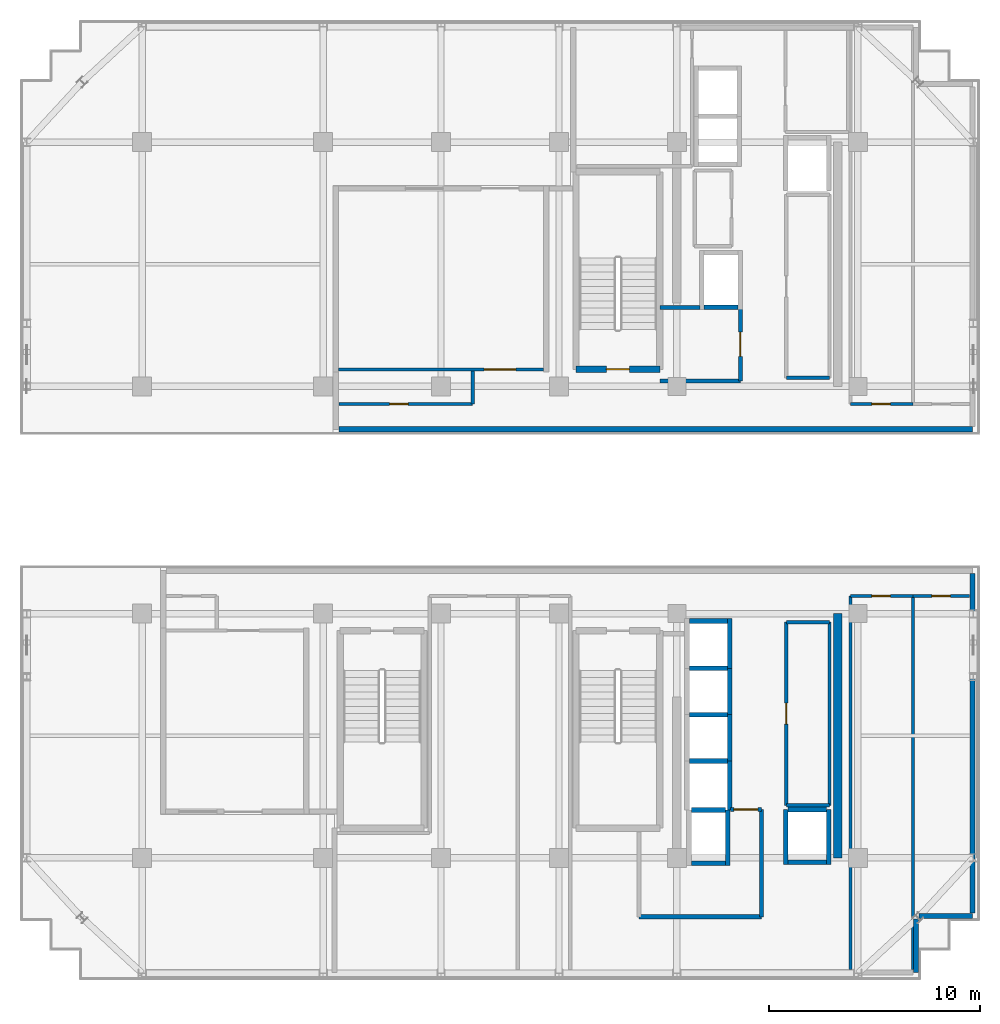
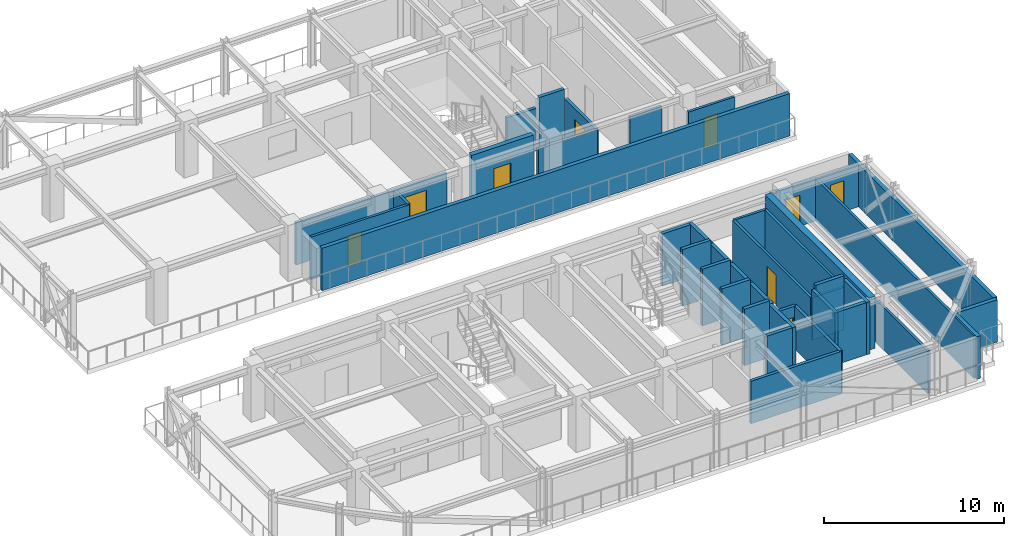
# One storey, part 6 of 14: 41 walls, 9 doors, 9 openings.
"""IFC4 building model written with IfcOpenShell, lengths in metres."""

from ifc_helpers import new_model, si_unit, direction, frame, frame_2d, origin, place, context, subcontext, project, spatial, rectangle, extrude, source, transform, mapped, material, layer, layer_set, type_object, element, fill, save


model = new_model("IFC4")

# Units and contexts
model_context = context("Model", 3, precision=1e-05, world=origin(), true_north=direction((0.0, 1.0)))
body_context = subcontext(model_context, "Body", "Model", "MODEL_VIEW")
ifc_project = project(units=[si_unit("LENGTHUNIT", "METRE"), si_unit("AREAUNIT", "SQUARE_METRE"), si_unit("VOLUMEUNIT", "CUBIC_METRE"), si_unit("PLANEANGLEUNIT", "RADIAN"), si_unit("MASSUNIT", "GRAM", prefix="KILO")], contexts=[model_context])

# Site, building, storey
site_placement = place(None, origin())
site = spatial("IfcSite", under=ifc_project, at=site_placement, CompositionType="ELEMENT")
building_placement = place(site_placement, origin())
building = spatial("IfcBuilding", under=site, at=building_placement, Name="Nahalor Promenade Grand Hotel", CompositionType="ELEMENT")
storey_placement = place(building_placement, frame((0.0, 0.0, 296.5)))
storey = spatial("IfcBuildingStorey", under=building, at=storey_placement, Name="L76", CompositionType="ELEMENT", Elevation=296.5)

# Wall
ifc_material_1 = material(Name="Concrete B-50 (C40/50)", Category="concrete")
ifc_layer_1 = layer(ifc_material_1, 0.39990234375)
ifc_layer_set_1 = layer_set([ifc_layer_1], Name="Concrete B-50 (C40/50)")
wall_type_1 = type_object("IfcWallType", Name="Wall-CoreShear-400", PredefinedType="SHEAR", material=ifc_layer_set_1)
shared_shape_1 = source(origin(), body_context, "Body", "SweptSolid", [
    extrude(rectangle(XDim=11.60009765625, YDim=0.39990234375, at=frame_2d((5.800048828125, 0.0))), origin(), (0.0, 0.0, 1.0), 3.550048828125),
])
wall_1_placement = place(storey_placement, frame((16.050048828125, -17.0, 0.0), z_axis=(0.0, 0.0, 1.0), x_axis=(0.0, 1.0, 0.0)))
element("IfcWall", 1, at=wall_1_placement, inside=storey, type_object=wall_type_1, Name="CWALL-L76-SE", PredefinedType="SHEAR", context=body_context, shape_type="MappedRepresentation", body=[
    mapped(shared_shape_1, transform((0.0, 0.0, 0.0), scale=1.0)),
])

# Wall, opening, door
ifc_layer_2 = layer(ifc_material_1, 0.300048828125)
ifc_layer_set_2 = layer_set([ifc_layer_2], Name="Concrete B-50 (C40/50)")
wall_type_2 = type_object("IfcWallType", Name="Wall-ShaftShear-300", PredefinedType="SHEAR", material=ifc_layer_set_2)
shared_shape_2 = source(origin(), body_context, "Body", "SweptSolid", [
    extrude(rectangle(XDim=3.97998046875, YDim=0.300048828125, at=frame_2d((1.989990234375, 0.0))), origin(), (0.0, 0.0, 1.0), 3.550048828125),
])
wall_2_placement = place(storey_placement, frame((3.610107421875, 6.2099609375, 0.0), z_axis=(0.0, 0.0, 1.0), x_axis=(1.0, 0.0, 0.0)))
wall_2 = element("IfcWall", 2, at=wall_2_placement, inside=storey, type_object=wall_type_2, Name="L76 Exit Stair ST1 Shaft Wall S", PredefinedType="SHEAR", context=body_context, shape_type="MappedRepresentation", body=[
    mapped(shared_shape_2, transform((0.0, 0.0, 0.0), scale=1.0)),
])
opening_1_placement = place(wall_2_placement, frame((1.43994140625, 0.0, 0.0)))
opening_1 = element("IfcOpeningElement", 3, at=opening_1_placement, cuts=wall_2, Name="Opening D-ST1", PredefinedType="OPENING", context=body_context, shape_type="SweptSolid", body=[
    extrude(rectangle(XDim=1.10009765625, YDim=2.14990234375, at=frame_2d((0.550048828125, 1.074951171875))), frame((0.0, 0.159912109375, 0.0), z_axis=(0.0, -1.0, 0.0), x_axis=(1.0, 0.0, 0.0)), (0.0, 0.0, 1.0), 0.320068359375),
])
ifc_material_2 = material(Name="Steel S355JR", Category="steel")
door_type_1 = type_object("IfcDoorType", Name="Door-StairFire-1100", OperationType="NOTDEFINED", PredefinedType="DOOR", material=ifc_material_2)
shared_shape_3 = source(origin(), body_context, "Body", "SweptSolid", [
    extrude(rectangle(XDim=1.10009765625, YDim=2.14990234375, at=frame_2d((0.550048828125, 1.074951171875))), frame((0.0, 0.02490234375, 0.0), z_axis=(0.0, -1.0, 0.0), x_axis=(1.0, 0.0, 0.0)), (0.0, 0.0, 1.0), 0.050048828125),
])
door_1_placement = place(opening_1_placement, origin())
door_1 = element("IfcDoor", 4, at=door_1_placement, inside=storey, type_object=door_type_1, Name="DR-STAIR-ST1-L76", OperationType="SINGLE_SWING_LEFT", OverallHeight=2.14990234375, OverallWidth=1.10009765625, PredefinedType="DOOR", context=body_context, shape_type="MappedRepresentation", body=[
    mapped(shared_shape_3, transform((0.0, 0.0, 0.0), scale=1.0)),
])
fill(opening_1, door_1)

# Walls
ifc_layer_3 = layer(ifc_material_1, 0.219970703125)
ifc_layer_set_3 = layer_set([ifc_layer_3], Name="Concrete B-50 (C40/50)")
wall_type_3 = type_object("IfcWallType", Name="Wall-LiftShaft-220", PredefinedType="SHEAR", material=ifc_layer_set_3)
shared_shape_4 = source(origin(), body_context, "Body", "SweptSolid", [
    extrude(rectangle(XDim=2.360107421875, YDim=0.219970703125, at=frame_2d((1.18017578125, 0.0))), origin(), (0.0, 0.0, 1.0), 3.550048828125),
])
wall_3_placement = place(storey_placement, frame((10.919921875, -8.0, 0.0), z_axis=(0.0, 0.0, 1.0), x_axis=(0.0, 1.0, 0.0)))
element("IfcWall", 5, at=wall_3_placement, inside=storey, type_object=wall_type_3, Name="L76 Lift PL9 Hoistway Wall E", PredefinedType="SHEAR", context=body_context, shape_type="MappedRepresentation", body=[
    mapped(shared_shape_4, transform((0.0, 0.0, 0.0), scale=1.0)),
])
shared_shape_5 = source(origin(), body_context, "Body", "SweptSolid", [
    extrude(rectangle(XDim=1.820068359375, YDim=0.219970703125, at=frame_2d((0.91015625, 0.0))), origin(), (0.0, 0.0, 1.0), 3.550048828125),
])
for number, where, z_axis, x_axis, name in (
    (6, (8.989990234375, -5.75, 0.0), (0.0, 0.0, 1.0), (1.0, 0.0, 0.0), "L76 Lift PL9 Hoistway Wall N"),
    (7, (13.68994140625, -17.199951171875, 0.0), (0.0, 0.0, 1.0), (1.0, 0.0, 0.0), "L76 Lift SV2 Hoistway Wall S"),
):
    element("IfcWall", number, at=place(storey_placement, frame(where, z_axis=z_axis, x_axis=x_axis)), inside=storey, type_object=wall_type_3, Name=name, PredefinedType="SHEAR", context=body_context, shape_type="MappedRepresentation", body=[
        mapped(shared_shape_5, transform((0.0, 0.0, 0.0), scale=1.0)),
    ])
shared_shape_6 = source(origin(), body_context, "Body", "SweptSolid", [
    extrude(rectangle(XDim=2.199951171875, YDim=0.219970703125, at=frame_2d((1.10009765625, 0.0))), origin(), (0.0, 0.0, 1.0), 3.550048828125),
])
for number, where, z_axis, x_axis, name in (
    (8, (10.919921875, -10.199951171875, 0.0), (0.0, 0.0, 1.0), (0.0, 1.0, 0.0), "L76 Lift PL10 Hoistway Wall E"),
    (9, (10.919921875, -12.39990234375, 0.0), (0.0, 0.0, 1.0), (0.0, 1.0, 0.0), "L76 Lift PL11 Hoistway Wall E"),
):
    element("IfcWall", number, at=place(storey_placement, frame(where, z_axis=z_axis, x_axis=x_axis)), inside=storey, type_object=wall_type_3, Name=name, PredefinedType="SHEAR", context=body_context, shape_type="MappedRepresentation", body=[
        mapped(shared_shape_6, transform((0.0, 0.0, 0.0), scale=1.0)),
    ])
shared_shape_7 = source(origin(), body_context, "Body", "SweptSolid", [
    extrude(rectangle(XDim=1.820068359375, YDim=0.219970703125, at=frame_2d((0.91015625, 0.0))), origin(), (0.0, 0.0, 1.0), 3.85009765625),
])
for number, where, z_axis, x_axis, name in (
    (10, (8.989990234375, -8.0, 0.0), (0.0, 0.0, 1.0), (1.0, 0.0, 0.0), "L76 Lift PL10 Hoistway Wall N"),
    (11, (8.989990234375, -10.199951171875, 0.0), (0.0, 0.0, 1.0), (1.0, 0.0, 0.0), "L76 Lift PL11 Hoistway Wall N"),
    (12, (8.989990234375, -12.39990234375, 0.0), (0.0, 0.0, 1.0), (1.0, 0.0, 0.0), "L76 Lift PL12 Hoistway Wall N"),
    (13, (13.68994140625, -14.699951171875, 0.0), (0.0, 0.0, 1.0), (1.0, 0.0, 0.0), "L76 Lift SV2 Hoistway Wall N"),
):
    element("IfcWall", number, at=place(storey_placement, frame(where, z_axis=z_axis, x_axis=x_axis)), inside=storey, type_object=wall_type_3, Name=name, PredefinedType="SHEAR", context=body_context, shape_type="MappedRepresentation", body=[
        mapped(shared_shape_7, transform((0.0, 0.0, 0.0), scale=1.0)),
    ])
shared_shape_8 = source(origin(), body_context, "Body", "SweptSolid", [
    extrude(rectangle(XDim=2.3251953125, YDim=0.219970703125, at=frame_2d((1.16259765625, 0.0))), origin(), (0.0, 0.0, 1.0), 3.550048828125),
])
wall_4_placement = place(storey_placement, frame((10.919921875, -14.72509765625, 0.0), z_axis=(0.0, 0.0, 1.0), x_axis=(0.0, 1.0, 0.0)))
element("IfcWall", 14, at=wall_4_placement, inside=storey, type_object=wall_type_3, Name="L76 Lift PL12 Hoistway Wall E", PredefinedType="SHEAR", context=body_context, shape_type="MappedRepresentation", body=[
    mapped(shared_shape_8, transform((0.0, 0.0, 0.0), scale=1.0)),
])
shared_shape_9 = source(origin(), body_context, "Body", "SweptSolid", [
    extrude(rectangle(XDim=1.6201171875, YDim=0.219970703125, at=frame_2d((0.81005859375, 0.0))), origin(), (0.0, 0.0, 1.0), 3.550048828125),
])
wall_5_placement = place(storey_placement, frame((9.68994140625, 9.14990234375, 0.0), z_axis=(0.0, 0.0, 1.0), x_axis=(1.0, 0.0, 0.0)))
element("IfcWall", 15, at=wall_5_placement, inside=storey, type_object=wall_type_3, Name="L76 Lift FL1 Hoistway Wall S", PredefinedType="SHEAR", context=body_context, shape_type="MappedRepresentation", body=[
    mapped(shared_shape_9, transform((0.0, 0.0, 0.0), scale=1.0)),
])
shared_shape_10 = source(origin(), body_context, "Body", "SweptSolid", [
    extrude(rectangle(XDim=2.635009765625, YDim=0.219970703125, at=frame_2d((1.3173828125, 0.0))), origin(), (0.0, 0.0, 1.0), 3.550048828125),
])
wall_6_placement = place(storey_placement, frame((10.820068359375, -17.360107421875, 0.0), z_axis=(0.0, 0.0, 1.0), x_axis=(0.0, 1.0, 0.0)))
element("IfcWall", 16, at=wall_6_placement, inside=storey, type_object=wall_type_3, Name="L76 Lift FL2 Hoistway Wall E", PredefinedType="SHEAR", context=body_context, shape_type="MappedRepresentation", body=[
    mapped(shared_shape_10, transform((0.0, 0.0, 0.0), scale=1.0)),
])
shared_shape_11 = source(origin(), body_context, "Body", "SweptSolid", [
    extrude(rectangle(XDim=1.619873046875, YDim=0.219970703125, at=frame_2d((0.81005859375, 0.0))), origin(), (0.0, 0.0, 1.0), 3.550048828125),
])
wall_7_placement = place(storey_placement, frame((9.090087890625, -17.25, 0.0), z_axis=(0.0, 0.0, 1.0), x_axis=(1.0, 0.0, 0.0)))
element("IfcWall", 17, at=wall_7_placement, inside=storey, type_object=wall_type_3, Name="L76 Lift FL2 Hoistway Wall S", PredefinedType="SHEAR", context=body_context, shape_type="MappedRepresentation", body=[
    mapped(shared_shape_11, transform((0.0, 0.0, 0.0), scale=1.0)),
])
shared_shape_12 = source(origin(), body_context, "Body", "SweptSolid", [
    extrude(rectangle(XDim=1.619873046875, YDim=0.219970703125, at=frame_2d((0.81005859375, 0.0))), origin(), (0.0, 0.0, 1.0), 3.85009765625),
])
wall_8_placement = place(storey_placement, frame((9.090087890625, -14.72509765625, 0.0), z_axis=(0.0, 0.0, 1.0), x_axis=(1.0, 0.0, 0.0)))
element("IfcWall", 18, at=wall_8_placement, inside=storey, type_object=wall_type_3, Name="L76 Lift FL2 Hoistway Wall N", PredefinedType="SHEAR", context=body_context, shape_type="MappedRepresentation", body=[
    mapped(shared_shape_12, transform((0.0, 0.0, 0.0), scale=1.0)),
])
shared_shape_13 = source(origin(), body_context, "Body", "SweptSolid", [
    extrude(rectangle(XDim=2.610107421875, YDim=0.219970703125, at=frame_2d((1.30517578125, 0.0))), origin(), (0.0, 0.0, 1.0), 3.550048828125),
])
for number, where, z_axis, x_axis, name in (
    (19, (13.580078125, -17.31005859375, 0.0), (0.0, 0.0, 1.0), (0.0, 1.0, 0.0), "L76 Lift SV2 Hoistway Wall W"),
    (20, (15.6201171875, -17.31005859375, 0.0), (0.0, 0.0, 1.0), (0.0, 1.0, 0.0), "L76 Lift SV2 Hoistway Wall E"),
):
    element("IfcWall", number, at=place(storey_placement, frame(where, z_axis=z_axis, x_axis=x_axis)), inside=storey, type_object=wall_type_3, Name=name, PredefinedType="SHEAR", context=body_context, shape_type="MappedRepresentation", body=[
        mapped(shared_shape_13, transform((0.0, 0.0, 0.0), scale=1.0)),
    ])
ifc_material_3 = material(Name="Concrete B-40 (C32/40)", Category="concrete")
ifc_layer_4 = layer(ifc_material_3, 0.199951171875)
ifc_layer_set_4 = layer_set([ifc_layer_4], Name="Concrete B-40 (C32/40)")
wall_type_4 = type_object("IfcWallType", Name="Wall-PartFire-200", PredefinedType="PARTITIONING", material=ifc_layer_set_4)
shared_shape_14 = source(origin(), body_context, "Body", "SweptSolid", [
    extrude(rectangle(XDim=3.81982421875, YDim=0.199951171875, at=frame_2d((1.909912109375, 0.0))), origin(), (0.0, 0.0, 1.0), 2.889892578125),
])
wall_9_placement = place(storey_placement, frame((7.60009765625, 5.64990234375, 0.0), z_axis=(0.0, 0.0, 1.0), x_axis=(1.0, 0.0, 0.0)))
element("IfcWall", 21, at=wall_9_placement, inside=storey, type_object=wall_type_4, Name="W-L76-FF1-S", PredefinedType="PARTITIONING", context=body_context, shape_type="MappedRepresentation", body=[
    mapped(shared_shape_14, transform((0.0, 0.0, 0.0), scale=1.0)),
])
shared_shape_15 = source(origin(), body_context, "Body", "SweptSolid", [
    extrude(rectangle(XDim=1.89990234375, YDim=0.199951171875, at=frame_2d((0.949951171875, 0.0))), origin(), (0.0, 0.0, 1.0), 2.889892578125),
])
wall_10_placement = place(storey_placement, frame((7.60009765625, 9.14990234375, 0.0), z_axis=(0.0, 0.0, 1.0), x_axis=(1.0, 0.0, 0.0)))
element("IfcWall", 22, at=wall_10_placement, inside=storey, type_object=wall_type_4, Name="W-L76-FF1-N", PredefinedType="PARTITIONING", context=body_context, shape_type="MappedRepresentation", body=[
    mapped(shared_shape_15, transform((0.0, 0.0, 0.0), scale=1.0)),
])

# Wall, opening, door
shared_shape_16 = source(origin(), body_context, "Body", "SweptSolid", [
    extrude(rectangle(XDim=3.5, YDim=0.199951171875, at=frame_2d((1.75, 0.0))), origin(), (0.0, 0.0, 1.0), 2.889892578125),
])
wall_11_placement = place(storey_placement, frame((11.419921875, 5.64990234375, 0.0), z_axis=(0.0, 0.0, 1.0), x_axis=(0.0, 1.0, 0.0)))
wall_11 = element("IfcWall", 23, at=wall_11_placement, inside=storey, type_object=wall_type_4, Name="W-L76-FF1-E", PredefinedType="PARTITIONING", context=body_context, shape_type="MappedRepresentation", body=[
    mapped(shared_shape_16, transform((0.0, 0.0, 0.0), scale=1.0)),
])
opening_2_placement = place(wall_11_placement, frame((1.175048828125, 0.0, 0.0)))
opening_2 = element("IfcOpeningElement", 24, at=opening_2_placement, cuts=wall_11, Name="Opening D-FF1", PredefinedType="OPENING", context=body_context, shape_type="SweptSolid", body=[
    extrude(rectangle(XDim=1.14990234375, YDim=2.14990234375, at=frame_2d((0.574951171875, 1.074951171875))), frame((0.0, 0.10986328125, 0.0), z_axis=(0.0, -1.0, 0.0), x_axis=(1.0, 0.0, 0.0)), (0.0, 0.0, 1.0), 0.219970703125),
])
door_type_2 = type_object("IfcDoorType", Name="Door-FFLobby-1150", OperationType="NOTDEFINED", PredefinedType="DOOR", material=ifc_material_2)
shared_shape_17 = source(origin(), body_context, "Body", "SweptSolid", [
    extrude(rectangle(XDim=1.14990234375, YDim=2.14990234375, at=frame_2d((0.574951171875, 1.074951171875))), frame((0.0, 0.02490234375, 0.0), z_axis=(0.0, -1.0, 0.0), x_axis=(1.0, 0.0, 0.0)), (0.0, 0.0, 1.0), 0.050048828125),
])
door_2_placement = place(opening_2_placement, frame((1.14990234375, 0.0, 0.0), z_axis=(0.0, 0.0, 1.0), x_axis=(-1.0, 0.0, 0.0)))
door_2 = element("IfcDoor", 25, at=door_2_placement, inside=storey, type_object=door_type_2, Name="DR-L76-FFL1", OperationType="SINGLE_SWING_LEFT", OverallHeight=2.14990234375, OverallWidth=1.14990234375, PredefinedType="DOOR", context=body_context, shape_type="MappedRepresentation", body=[
    mapped(shared_shape_17, transform((0.0, 0.0, 0.0), scale=1.0)),
])
fill(opening_2, door_2)

# Walls
shared_shape_18 = source(origin(), body_context, "Body", "SweptSolid", [
    extrude(rectangle(XDim=5.81982421875, YDim=0.199951171875, at=frame_2d((2.909912109375, 0.0))), origin(), (0.0, 0.0, 1.0), 2.889892578125),
])
wall_12_placement = place(storey_placement, frame((6.60009765625, -19.800048828125, 0.0), z_axis=(0.0, 0.0, 1.0), x_axis=(1.0, 0.0, 0.0)))
element("IfcWall", 26, at=wall_12_placement, inside=storey, type_object=wall_type_4, Name="W-L76-FF2-S1", PredefinedType="PARTITIONING", context=body_context, shape_type="MappedRepresentation", body=[
    mapped(shared_shape_18, transform((0.0, 0.0, 0.0), scale=1.0)),
])
shared_shape_19 = source(origin(), body_context, "Body", "SweptSolid", [
    extrude(rectangle(XDim=5.10009765625, YDim=0.199951171875, at=frame_2d((2.550048828125, 0.0))), origin(), (0.0, 0.0, 1.0), 2.889892578125),
])
wall_13_placement = place(storey_placement, frame((12.419921875, -19.800048828125, 0.0), z_axis=(0.0, 0.0, 1.0), x_axis=(0.0, 1.0, 0.0)))
element("IfcWall", 27, at=wall_13_placement, inside=storey, type_object=wall_type_4, Name="W-L76-FF2-E", PredefinedType="PARTITIONING", context=body_context, shape_type="MappedRepresentation", body=[
    mapped(shared_shape_19, transform((0.0, 0.0, 0.0), scale=1.0)),
])

# Wall, opening, door
shared_shape_20 = source(origin(), body_context, "Body", "SweptSolid", [
    extrude(rectangle(XDim=1.4599609375, YDim=0.199951171875, at=frame_2d((0.72998046875, 0.0))), origin(), (0.0, 0.0, 1.0), 2.889892578125),
])
wall_14_placement = place(storey_placement, frame((10.9599609375, -14.699951171875, 0.0), z_axis=(0.0, 0.0, 1.0), x_axis=(1.0, 0.0, 0.0)))
wall_14 = element("IfcWall", 28, at=wall_14_placement, inside=storey, type_object=wall_type_4, Name="W-L76-FF2-N1", PredefinedType="PARTITIONING", context=body_context, shape_type="MappedRepresentation", body=[
    mapped(shared_shape_20, transform((0.0, 0.0, 0.0), scale=1.0)),
])
opening_3_placement = place(wall_14_placement, frame((0.14501953125, 0.0, 0.0)))
opening_3 = element("IfcOpeningElement", 29, at=opening_3_placement, cuts=wall_14, Name="Opening D-FF1", PredefinedType="OPENING", context=body_context, shape_type="SweptSolid", body=[
    extrude(rectangle(XDim=1.14990234375, YDim=2.14990234375, at=frame_2d((0.574951171875, 1.074951171875))), frame((0.0, 0.10986328125, 0.0), z_axis=(0.0, -1.0, 0.0), x_axis=(1.0, 0.0, 0.0)), (0.0, 0.0, 1.0), 0.219970703125),
])
door_3_placement = place(opening_3_placement, origin())
door_3 = element("IfcDoor", 30, at=door_3_placement, inside=storey, type_object=door_type_2, Name="DR-L76-FFL2", OperationType="SINGLE_SWING_RIGHT", OverallHeight=2.14990234375, OverallWidth=1.14990234375, PredefinedType="DOOR", context=body_context, shape_type="MappedRepresentation", body=[
    mapped(shared_shape_17, transform((0.0, 0.0, 0.0), scale=1.0)),
])
fill(opening_3, door_3)

# Walls
ifc_material_4 = material(Name="Acoustic Mineral Gypsum", Category="gypsum")
ifc_layer_5 = layer(ifc_material_4, 0.159912109375)
ifc_layer_set_5 = layer_set([ifc_layer_5], Name="Acoustic Mineral Gypsum")
wall_type_5 = type_object("IfcWallType", Name="Wall-PartCorridor-160", PredefinedType="PARTITIONING", material=ifc_layer_set_5)
shared_shape_21 = source(origin(), body_context, "Body", "SweptSolid", [
    extrude(rectangle(XDim=2.0498046875, YDim=0.159912109375, at=frame_2d((1.02490234375, 0.0))), origin(), (0.0, 0.0, 1.0), 2.889892578125),
])
for number, where, z_axis, x_axis, name in (
    (31, (13.60009765625, 5.800048828125, 0.0), (0.0, 0.0, 1.0), (1.0, 0.0, 0.0), "W-L76-FRB1-S"),
    (32, (13.60009765625, -14.5, 0.0), (0.0, 0.0, 1.0), (1.0, 0.0, 0.0), "W-L76-FRB2-S"),
    (33, (13.60009765625, -5.800048828125, 0.0), (0.0, 0.0, 1.0), (1.0, 0.0, 0.0), "W-L76-FRB2-N"),
):
    element("IfcWall", number, at=place(storey_placement, frame(where, z_axis=z_axis, x_axis=x_axis)), inside=storey, type_object=wall_type_5, Name=name, PredefinedType="PARTITIONING", context=body_context, shape_type="MappedRepresentation", body=[
        mapped(shared_shape_21, transform((0.0, 0.0, 0.0), scale=1.0)),
    ])
ifc_layer_6 = layer(ifc_material_3, 0.25)
ifc_layer_set_6 = layer_set([ifc_layer_6], Name="Concrete B-40 (C32/40)")
wall_type_6 = type_object("IfcWallType", Name="Wall-BronzePier-250", PredefinedType="STANDARD", material=ifc_layer_set_6)
shared_shape_22 = source(origin(), body_context, "Body", "SweptSolid", [
    extrude(rectangle(XDim=30.079833984375, YDim=0.25, at=frame_2d((15.0400390625, 0.0))), origin(), (0.0, 0.0, 1.0), 2.889892578125),
])
wall_15_placement = place(storey_placement, frame((-7.639892578125, 3.360107421875, 0.0), z_axis=(0.0, 0.0, 1.0), x_axis=(1.0, 0.0, 0.0)))
element("IfcWall", 34, at=wall_15_placement, inside=storey, type_object=wall_type_6, Name="W-L76-WPENV-NS", PredefinedType="STANDARD", context=body_context, shape_type="MappedRepresentation", body=[
    mapped(shared_shape_22, transform((0.0, 0.0, 0.0), scale=1.0)),
])
shared_shape_23 = source(origin(), body_context, "Body", "SweptSolid", [
    extrude(rectangle(XDim=2.5400390625, YDim=0.25, at=frame_2d((1.27001953125, 0.0))), origin(), (0.0, 0.0, 1.0), 2.889892578125),
])
for number, where, z_axis, x_axis, name in (
    (35, (19.760009765625, -22.43994140625, 0.0), (0.0, 0.0, 1.0), (0.0, 1.0, 0.0), "W-L76-WPENV-SSE1"),
    (36, (19.89990234375, -19.760009765625, 0.0), (0.0, 0.0, 1.0), (1.0, 0.0, 0.0), "W-L76-WPENV-SSE2"),
):
    element("IfcWall", number, at=place(storey_placement, frame(where, z_axis=z_axis, x_axis=x_axis)), inside=storey, type_object=wall_type_6, Name=name, PredefinedType="STANDARD", context=body_context, shape_type="MappedRepresentation", body=[
        mapped(shared_shape_23, transform((0.0, 0.0, 0.0), scale=1.0)),
    ])
shared_shape_24 = source(origin(), body_context, "Body", "SweptSolid", [
    extrude(rectangle(XDim=16.1201171875, YDim=0.25, at=frame_2d((8.06005859375, 0.0))), origin(), (0.0, 0.0, 1.0), 2.889892578125),
])
wall_16_placement = place(storey_placement, frame((22.43994140625, -19.6201171875, 0.0), z_axis=(0.0, 0.0, 1.0), x_axis=(0.0, 1.0, 0.0)))
element("IfcWall", 37, at=wall_16_placement, inside=storey, type_object=wall_type_6, Name="W-L76-WPENV-SE", PredefinedType="STANDARD", context=body_context, shape_type="MappedRepresentation", body=[
    mapped(shared_shape_24, transform((0.0, 0.0, 0.0), scale=1.0)),
])

# Wall, opening, door
shared_shape_25 = source(origin(), body_context, "Body", "SweptSolid", [
    extrude(rectangle(XDim=8.699951171875, YDim=0.159912109375, at=frame_2d((4.35009765625, 0.0))), origin(), (0.0, 0.0, 1.0), 2.889892578125),
])
wall_17_placement = place(storey_placement, frame((13.60009765625, -14.5, 0.0), z_axis=(0.0, 0.0, 1.0), x_axis=(0.0, 1.0, 0.0)))
wall_17 = element("IfcWall", 38, at=wall_17_placement, inside=storey, type_object=wall_type_5, Name="W-L76-FRB2-W", PredefinedType="PARTITIONING", context=body_context, shape_type="MappedRepresentation", body=[
    mapped(shared_shape_25, transform((0.0, 0.0, 0.0), scale=1.0)),
])
opening_4_placement = place(wall_17_placement, frame((3.85009765625, 0.0, 0.0)))
opening_4 = element("IfcOpeningElement", 39, at=opening_4_placement, cuts=wall_17, Name="Opening D-04", PredefinedType="OPENING", context=body_context, shape_type="SweptSolid", body=[
    extrude(rectangle(XDim=1.0, YDim=2.10009765625, at=frame_2d((0.5, 1.050048828125))), frame((0.0, 0.08984375, 0.0), z_axis=(0.0, -1.0, 0.0), x_axis=(1.0, 0.0, 0.0)), (0.0, 0.0, 1.0), 0.179931640625),
])
door_type_3 = type_object("IfcDoorType", Name="Door-ServiceFire-1000", OperationType="NOTDEFINED", PredefinedType="DOOR", material=ifc_material_2)
shared_shape_26 = source(origin(), body_context, "Body", "SweptSolid", [
    extrude(rectangle(XDim=1.0, YDim=2.10009765625, at=frame_2d((0.5, 1.050048828125))), frame((0.0, 0.02490234375, 0.0), z_axis=(0.0, -1.0, 0.0), x_axis=(1.0, 0.0, 0.0)), (0.0, 0.0, 1.0), 0.050048828125),
])
door_4_placement = place(opening_4_placement, frame((1.0, 0.0, 0.0), z_axis=(0.0, 0.0, 1.0), x_axis=(-1.0, 0.0, 0.0)))
door_4 = element("IfcDoor", 40, at=door_4_placement, inside=storey, type_object=door_type_3, Name="DR-L76-FRB2", OperationType="SINGLE_SWING_LEFT", OverallHeight=2.10009765625, OverallWidth=1.0, PredefinedType="DOOR", context=body_context, shape_type="MappedRepresentation", body=[
    mapped(shared_shape_26, transform((0.0, 0.0, 0.0), scale=1.0)),
])
fill(opening_4, door_4)

# Wall
wall_18_placement = place(storey_placement, frame((15.64990234375, -14.5, 0.0), z_axis=(0.0, 0.0, 1.0), x_axis=(0.0, 1.0, 0.0)))
element("IfcWall", 41, at=wall_18_placement, inside=storey, type_object=wall_type_5, Name="W-L76-FRB2-E", PredefinedType="PARTITIONING", context=body_context, shape_type="MappedRepresentation", body=[
    mapped(shared_shape_25, transform((0.0, 0.0, 0.0), scale=1.0)),
])

# Wall, opening, door
shared_shape_27 = source(origin(), body_context, "Body", "SweptSolid", [
    extrude(rectangle(XDim=9.719970703125, YDim=0.159912109375, at=frame_2d((4.85986328125, 0.0))), origin(), (0.0, 0.0, 1.0), 2.889892578125),
])
wall_19_placement = place(storey_placement, frame((-7.659912109375, 6.199951171875, 0.0), z_axis=(0.0, 0.0, 1.0), x_axis=(1.0, 0.0, 0.0)))
wall_19 = element("IfcWall", 42, at=wall_19_placement, inside=storey, type_object=wall_type_5, Name="W-L76-WPGAL-N-S", PredefinedType="PARTITIONING", context=body_context, shape_type="MappedRepresentation", body=[
    mapped(shared_shape_27, transform((0.0, 0.0, 0.0), scale=1.0)),
])
opening_5_placement = place(wall_19_placement, frame((6.909912109375, 0.0, 0.0)))
opening_5 = element("IfcOpeningElement", 43, at=opening_5_placement, cuts=wall_19, Name="Opening D-02", PredefinedType="OPENING", context=body_context, shape_type="SweptSolid", body=[
    extrude(rectangle(XDim=1.5, YDim=2.14990234375, at=frame_2d((0.75, 1.074951171875))), frame((0.0, 0.08984375, 0.0), z_axis=(0.0, -1.0, 0.0), x_axis=(1.0, 0.0, 0.0)), (0.0, 0.0, 1.0), 0.179931640625),
])
ifc_material_5 = material(Name="Fire-Rated Timber Composite", Category="wood")
door_type_4 = type_object("IfcDoorType", Name="Door-SuiteDouble-1500", OperationType="DOUBLE_DOOR_SINGLE_SWING", PredefinedType="DOOR", material=ifc_material_5)
shared_shape_28 = source(origin(), body_context, "Body", "SweptSolid", [
    extrude(rectangle(XDim=1.5, YDim=2.14990234375, at=frame_2d((0.75, 1.074951171875))), frame((0.0, 0.02490234375, 0.0), z_axis=(0.0, -1.0, 0.0), x_axis=(1.0, 0.0, 0.0)), (0.0, 0.0, 1.0), 0.050048828125),
])
door_5_placement = place(opening_5_placement, origin())
door_5 = element("IfcDoor", 44, at=door_5_placement, inside=storey, type_object=door_type_4, Name="DR-L76-WPGAL-N-IN", OperationType="DOUBLE_DOOR_SINGLE_SWING", OverallHeight=2.14990234375, OverallWidth=1.5, PredefinedType="DOOR", context=body_context, shape_type="MappedRepresentation", body=[
    mapped(shared_shape_28, transform((0.0, 0.0, 0.0), scale=1.0)),
])
fill(opening_5, door_5)

shared_shape_29 = source(origin(), body_context, "Body", "SweptSolid", [
    extrude(rectangle(XDim=6.33984375, YDim=0.159912109375, at=frame_2d((3.169921875, 0.0))), origin(), (0.0, 0.0, 1.0), 2.889892578125),
])
wall_20_placement = place(storey_placement, frame((-7.639892578125, 4.56005859375, 0.0), z_axis=(0.0, 0.0, 1.0), x_axis=(1.0, 0.0, 0.0)))
wall_20 = element("IfcWall", 45, at=wall_20_placement, inside=storey, type_object=wall_type_5, Name="W-L76-WPNW1-S", PredefinedType="PARTITIONING", context=body_context, shape_type="MappedRepresentation", body=[
    mapped(shared_shape_29, transform((0.0, 0.0, 0.0), scale=1.0)),
])
opening_6_placement = place(wall_20_placement, frame((2.39990234375, 0.0, 0.0)))
opening_6 = element("IfcOpeningElement", 46, at=opening_6_placement, cuts=wall_20, Name="Opening D-03", PredefinedType="OPENING", context=body_context, shape_type="SweptSolid", body=[
    extrude(rectangle(XDim=0.8798828125, YDim=2.10009765625, at=frame_2d((0.43994140625, 1.050048828125))), frame((0.0, 0.08984375, 0.0), z_axis=(0.0, -1.0, 0.0), x_axis=(1.0, 0.0, 0.0)), (0.0, 0.0, 1.0), 0.179931640625),
])
door_type_5 = type_object("IfcDoorType", Name="Door-BathSwing-880", OperationType="NOTDEFINED", PredefinedType="DOOR", material=ifc_material_5)
shared_shape_30 = source(origin(), body_context, "Body", "SweptSolid", [
    extrude(rectangle(XDim=0.8798828125, YDim=2.10009765625, at=frame_2d((0.43994140625, 1.050048828125))), frame((0.0, 0.02490234375, 0.0), z_axis=(0.0, -1.0, 0.0), x_axis=(1.0, 0.0, 0.0)), (0.0, 0.0, 1.0), 0.050048828125),
])
door_6_placement = place(opening_6_placement, origin())
door_6 = element("IfcDoor", 47, at=door_6_placement, inside=storey, type_object=door_type_5, Name="DR-L76-WPNW1", OperationType="SINGLE_SWING_RIGHT", OverallHeight=2.10009765625, OverallWidth=0.8798828125, PredefinedType="DOOR", context=body_context, shape_type="MappedRepresentation", body=[
    mapped(shared_shape_30, transform((0.0, 0.0, 0.0), scale=1.0)),
])
fill(opening_6, door_6)

# Wall
shared_shape_31 = source(origin(), body_context, "Body", "SweptSolid", [
    extrude(rectangle(XDim=1.56005859375, YDim=0.159912109375, at=frame_2d((0.780029296875, 0.0))), origin(), (0.0, 0.0, 1.0), 2.889892578125),
])
wall_21_placement = place(storey_placement, frame((-1.300048828125, 4.56005859375, 0.0), z_axis=(0.0, 0.0, 1.0), x_axis=(0.0, 1.0, 0.0)))
element("IfcWall", 48, at=wall_21_placement, inside=storey, type_object=wall_type_5, Name="W-L76-WPNW1-E", PredefinedType="PARTITIONING", context=body_context, shape_type="MappedRepresentation", body=[
    mapped(shared_shape_31, transform((0.0, 0.0, 0.0), scale=1.0)),
])

# Wall, opening, door
shared_shape_32 = source(origin(), body_context, "Body", "SweptSolid", [
    extrude(rectangle(XDim=2.97021484375, YDim=0.159912109375, at=frame_2d((1.485107421875, 0.0))), origin(), (0.0, 0.0, 1.0), 2.889892578125),
])
wall_22_placement = place(storey_placement, frame((16.64990234375, 4.56005859375, 0.0), z_axis=(0.0, 0.0, 1.0), x_axis=(1.0, 0.0, 0.0)))
wall_22 = element("IfcWall", 49, at=wall_22_placement, inside=storey, type_object=wall_type_5, Name="W-L76-WPNE1-S", PredefinedType="PARTITIONING", context=body_context, shape_type="MappedRepresentation", body=[
    mapped(shared_shape_32, transform((0.0, 0.0, 0.0), scale=1.0)),
])
opening_7_placement = place(wall_22_placement, frame((1.010009765625, 0.0, 0.0)))
opening_7 = element("IfcOpeningElement", 50, at=opening_7_placement, cuts=wall_22, Name="Opening D-03", PredefinedType="OPENING", context=body_context, shape_type="SweptSolid", body=[
    extrude(rectangle(XDim=0.8798828125, YDim=2.10009765625, at=frame_2d((0.43994140625, 1.050048828125))), frame((0.0, 0.08984375, 0.0), z_axis=(0.0, -1.0, 0.0), x_axis=(1.0, 0.0, 0.0)), (0.0, 0.0, 1.0), 0.179931640625),
])
door_7_placement = place(opening_7_placement, origin())
door_7 = element("IfcDoor", 51, at=door_7_placement, inside=storey, type_object=door_type_5, Name="DR-L76-WPNE1", OperationType="SINGLE_SWING_LEFT", OverallHeight=2.10009765625, OverallWidth=0.8798828125, PredefinedType="DOOR", context=body_context, shape_type="MappedRepresentation", body=[
    mapped(shared_shape_30, transform((0.0, 0.0, 0.0), scale=1.0)),
])
fill(opening_7, door_7)

wall_23_placement = place(storey_placement, frame((16.64990234375, -4.56005859375, 0.0), z_axis=(0.0, 0.0, 1.0), x_axis=(1.0, 0.0, 0.0)))
wall_23 = element("IfcWall", 52, at=wall_23_placement, inside=storey, type_object=wall_type_5, Name="W-L76-WPSE1-N", PredefinedType="PARTITIONING", context=body_context, shape_type="MappedRepresentation", body=[
    mapped(shared_shape_32, transform((0.0, 0.0, 0.0), scale=1.0)),
])
opening_8_placement = place(wall_23_placement, frame((1.010009765625, 0.0, 0.0)))
opening_8 = element("IfcOpeningElement", 53, at=opening_8_placement, cuts=wall_23, Name="Opening D-03", PredefinedType="OPENING", context=body_context, shape_type="SweptSolid", body=[
    extrude(rectangle(XDim=0.8798828125, YDim=2.10009765625, at=frame_2d((0.43994140625, 1.050048828125))), frame((0.0, 0.08984375, 0.0), z_axis=(0.0, -1.0, 0.0), x_axis=(1.0, 0.0, 0.0)), (0.0, 0.0, 1.0), 0.179931640625),
])
door_8_placement = place(opening_8_placement, frame((0.8798828125, 0.0, 0.0), z_axis=(0.0, 0.0, 1.0), x_axis=(-1.0, 0.0, 0.0)))
door_8 = element("IfcDoor", 54, at=door_8_placement, inside=storey, type_object=door_type_5, Name="DR-L76-WPSE1", OperationType="SINGLE_SWING_RIGHT", OverallHeight=2.10009765625, OverallWidth=0.8798828125, PredefinedType="DOOR", context=body_context, shape_type="MappedRepresentation", body=[
    mapped(shared_shape_30, transform((0.0, 0.0, 0.0), scale=1.0)),
])
fill(opening_8, door_8)

# Walls
shared_shape_33 = source(origin(), body_context, "Body", "SweptSolid", [
    extrude(rectangle(XDim=17.739990234375, YDim=0.159912109375, at=frame_2d((8.8701171875, 0.0))), origin(), (0.0, 0.0, 1.0), 2.889892578125),
])
for number, where, z_axis, x_axis, name in (
    (55, (16.64990234375, -22.300048828125, 0.0), (0.0, 0.0, 1.0), (0.0, 1.0, 0.0), "W-L76-WPSE1-W"),
    (56, (19.6201171875, -22.300048828125, 0.0), (0.0, 0.0, 1.0), (0.0, 1.0, 0.0), "W-L76-WPSE1-E"),
):
    element("IfcWall", number, at=place(storey_placement, frame(where, z_axis=z_axis, x_axis=x_axis)), inside=storey, type_object=wall_type_5, Name=name, PredefinedType="PARTITIONING", context=body_context, shape_type="MappedRepresentation", body=[
        mapped(shared_shape_33, transform((0.0, 0.0, 0.0), scale=1.0)),
    ])

# Wall, opening, door
shared_shape_34 = source(origin(), body_context, "Body", "SweptSolid", [
    extrude(rectangle(XDim=2.679931640625, YDim=0.159912109375, at=frame_2d((1.33984375, 0.0))), origin(), (0.0, 0.0, 1.0), 2.889892578125),
])
wall_24_placement = place(storey_placement, frame((19.6201171875, -4.56005859375, 0.0), z_axis=(0.0, 0.0, 1.0), x_axis=(1.0, 0.0, 0.0)))
wall_24 = element("IfcWall", 57, at=wall_24_placement, inside=storey, type_object=wall_type_5, Name="W-L76-WPSE2-N", PredefinedType="PARTITIONING", context=body_context, shape_type="MappedRepresentation", body=[
    mapped(shared_shape_34, transform((0.0, 0.0, 0.0), scale=1.0)),
])
opening_9_placement = place(wall_24_placement, frame((0.889892578125, 0.0, 0.0)))
opening_9 = element("IfcOpeningElement", 58, at=opening_9_placement, cuts=wall_24, Name="Opening D-03", PredefinedType="OPENING", context=body_context, shape_type="SweptSolid", body=[
    extrude(rectangle(XDim=0.8798828125, YDim=2.10009765625, at=frame_2d((0.43994140625, 1.050048828125))), frame((0.0, 0.08984375, 0.0), z_axis=(0.0, -1.0, 0.0), x_axis=(1.0, 0.0, 0.0)), (0.0, 0.0, 1.0), 0.179931640625),
])
door_9_placement = place(opening_9_placement, frame((0.8798828125, 0.0, 0.0), z_axis=(0.0, 0.0, 1.0), x_axis=(-1.0, 0.0, 0.0)))
door_9 = element("IfcDoor", 59, at=door_9_placement, inside=storey, type_object=door_type_5, Name="DR-L76-WPSE2", OperationType="SINGLE_SWING_LEFT", OverallHeight=2.10009765625, OverallWidth=0.8798828125, PredefinedType="DOOR", context=body_context, shape_type="MappedRepresentation", body=[
    mapped(shared_shape_30, transform((0.0, 0.0, 0.0), scale=1.0)),
])
fill(opening_9, door_9)

save(model, "model.ifc")
